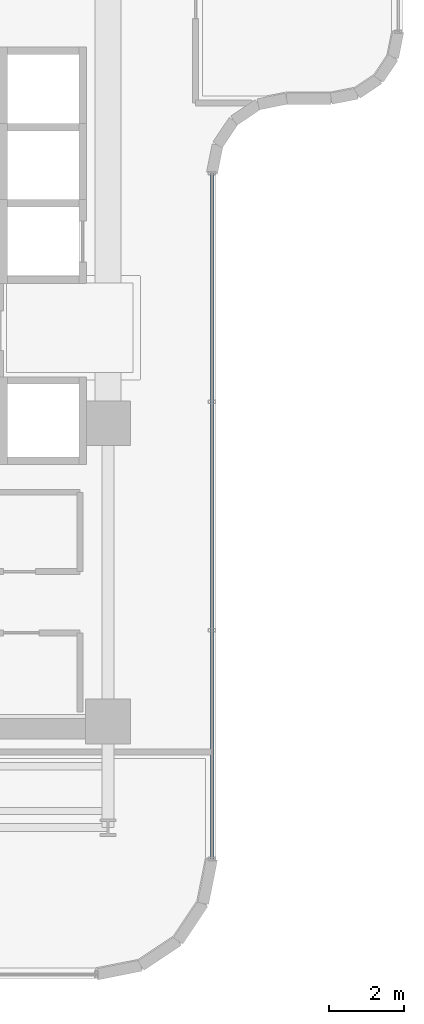
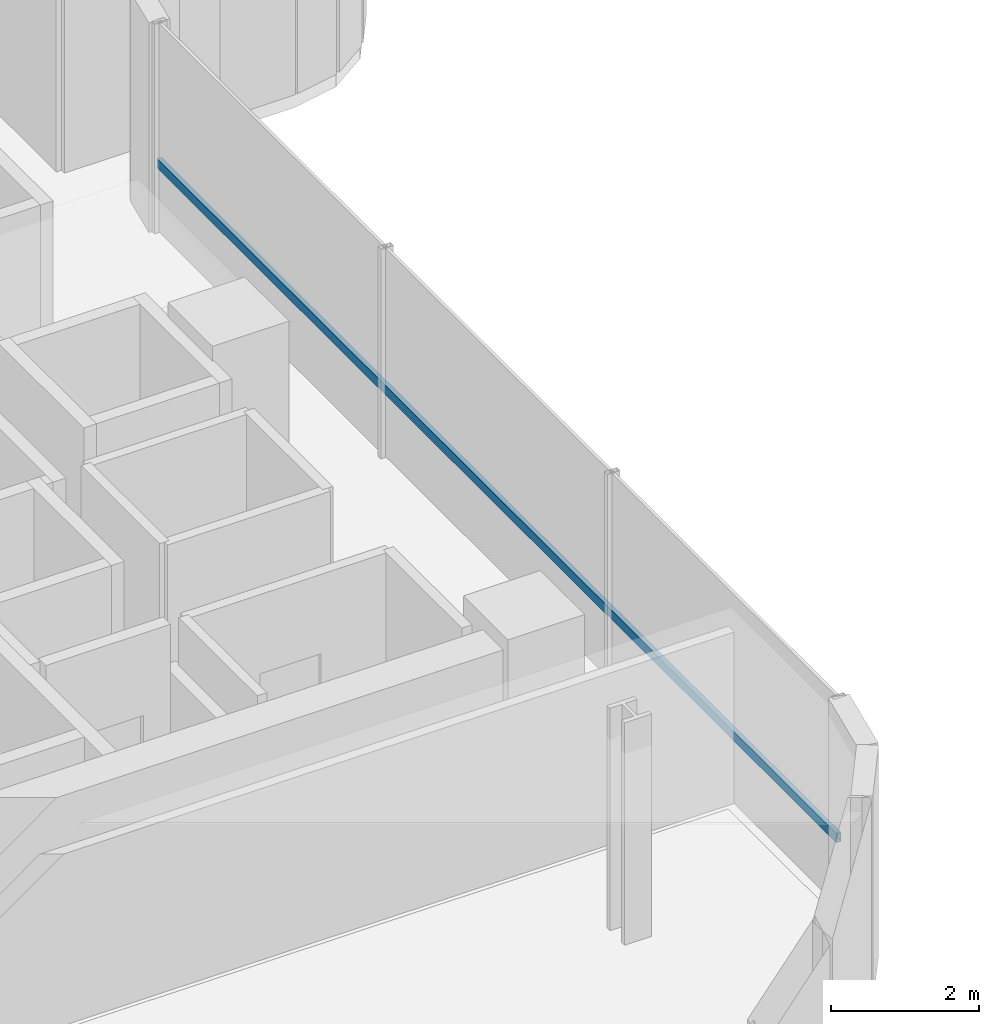
# One storey, part 7 of 33: 1 member, 1 element without a shape of its own.
"""IFC4 building model written with IfcOpenShell, lengths in metres."""

from ifc_helpers import new_model, si_unit, direction, frame, origin, origin_2d, place, context, subcontext, project, spatial, hollow_rectangle, extrude, source, transform, mapped, material, material_profile, profile_set, type_object, element, aggregate, save


model = new_model("IFC4")

# Units and contexts
model_context = context("Model", 3, precision=1e-05, world=origin(), true_north=direction((0.0, 1.0)))
body_context = subcontext(model_context, "Body", "Model", "MODEL_VIEW")
ifc_project = project(units=[si_unit("LENGTHUNIT", "METRE"), si_unit("AREAUNIT", "SQUARE_METRE"), si_unit("VOLUMEUNIT", "CUBIC_METRE"), si_unit("PLANEANGLEUNIT", "RADIAN"), si_unit("MASSUNIT", "GRAM", prefix="KILO")], contexts=[model_context])

# Site, building, storey
site_placement = place(None, origin())
site = spatial("IfcSite", under=ifc_project, at=site_placement, CompositionType="ELEMENT")
building_placement = place(site_placement, origin())
building = spatial("IfcBuilding", under=site, at=building_placement, Name="Valdorenza Pilgrim Sanctuary Tower", CompositionType="ELEMENT")
storey_placement = place(building_placement, frame((0.0, 0.0, 157.5)))
storey = spatial("IfcBuildingStorey", under=building, at=storey_placement, Name="L40", CompositionType="ELEMENT", Elevation=157.5)

# Curtain wall, member
ifc_material_1 = material(Name="Curtain-wall IGU glazing", Category="glass")
curtain_wall_type = type_object("IfcCurtainWallType", Name="CW-SYS-02", PredefinedType="NOTDEFINED", material=ifc_material_1)
curtain_wall_placement = place(storey_placement, origin())
curtain_wall = element("IfcCurtainWall", 1, at=curtain_wall_placement, inside=storey, type_object=curtain_wall_type, Name="L40 Curtain Wall CW-L40-1-21", PredefinedType="NOTDEFINED")
ifc_material_2 = material(Name="Anodised aluminium AW-6060", Category="aluminium")
ifc_material_profile = material_profile(ifc_material_2, hollow_rectangle(XDim=0.074951171875, YDim=0.14990234375, WallThickness=0.00390625, at=origin_2d()), Name="ALU-T 150x75x4")
ifc_profile_set = profile_set([ifc_material_profile], Name="Anodised aluminium AW-6060")
member_type = type_object("IfcMemberType", Name="CW-TRN-02", PredefinedType="USERDEFINED", material=ifc_profile_set)
shared_shape = source(origin(), body_context, "Body", "SweptSolid", [
    extrude(hollow_rectangle(XDim=0.074951171875, YDim=0.14990234375, WallThickness=0.00390625, at=origin_2d()), origin(), (0.0, 0.0, 1.0), 18.400146484375),
])
member_placement = place(storey_placement, frame((-9.610107421875, 4.11083984375, 1.1201171875), z_axis=(0.0, -1.0, 0.0), x_axis=(1.0, 0.0, 0.0)))
member = element("IfcMember", 2, at=member_placement, type_object=member_type, Name="CW-L40-1-21 Transom 1", ObjectType="TRANSOM", PredefinedType="USERDEFINED", context=body_context, shape_type="MappedRepresentation", body=[
    mapped(shared_shape, transform((0.0, 0.0, 0.0), x_axis=(1.0, 0.0, 0.0), y_axis=(0.0, 1.0, 0.0), z_axis=(0.0, 0.0, 1.0), scale=1.0)),
])
aggregate(curtain_wall, [member])

save(model, "model.ifc")
